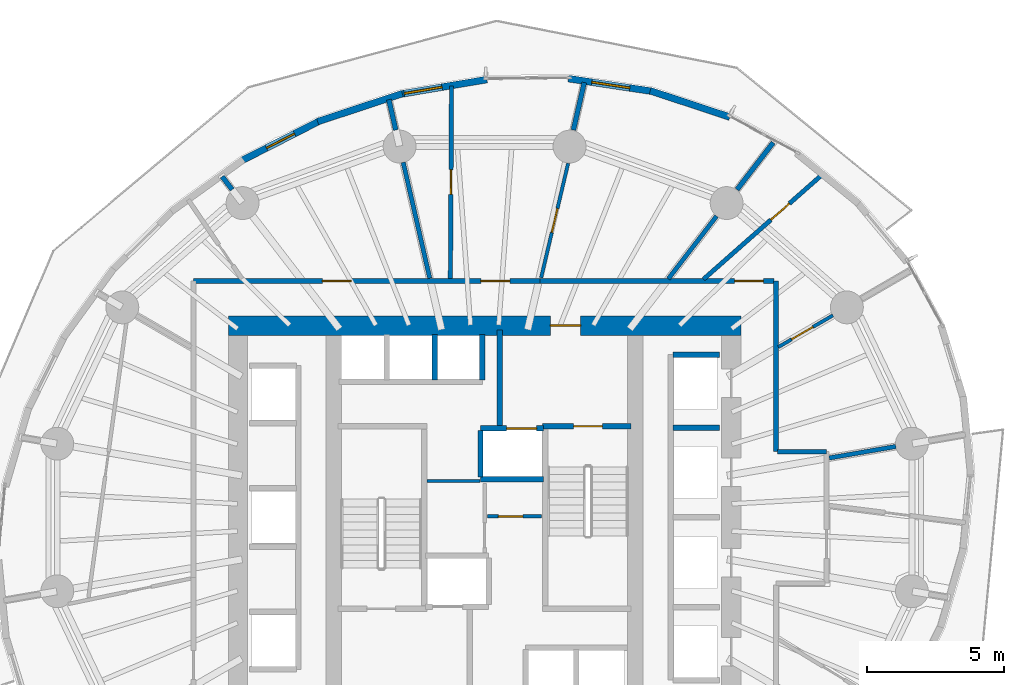
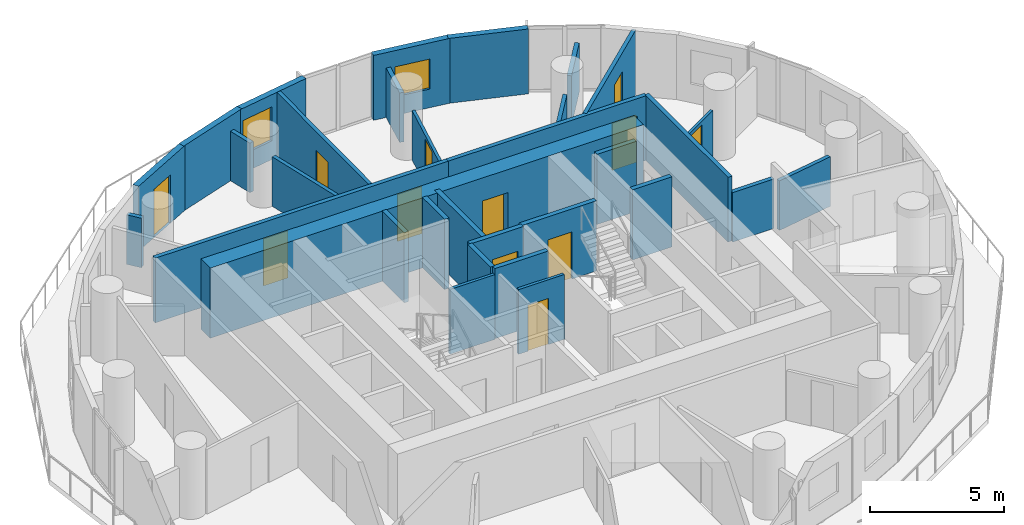
# One storey, part 9 of 14: 32 walls, 12 doors, 2 windows, 14 openings.
"""IFC4 building model written with IfcOpenShell, lengths in metres."""

from ifc_helpers import new_model, si_unit, direction, frame, frame_2d, origin, place, context, subcontext, project, spatial, rectangle, extrude, material, layer, layer_set, type_object, element, fill, save


model = new_model("IFC4")

# Units and contexts
model_context = context("Model", 3, precision=1e-05, world=origin(), true_north=direction((0.0, 1.0)))
body_context = subcontext(model_context, "Body", "Model", "MODEL_VIEW")
ifc_project = project(units=[si_unit("LENGTHUNIT", "METRE"), si_unit("AREAUNIT", "SQUARE_METRE"), si_unit("VOLUMEUNIT", "CUBIC_METRE"), si_unit("PLANEANGLEUNIT", "RADIAN"), si_unit("MASSUNIT", "GRAM", prefix="KILO")], contexts=[model_context])

# Site, building, storey
site_placement = place(None, origin())
site = spatial("IfcSite", under=ifc_project, at=site_placement, CompositionType="ELEMENT")
building_placement = place(site_placement, origin())
building = spatial("IfcBuilding", under=site, at=building_placement, Name="Veldorim Arch Residences", CompositionType="ELEMENT")
storey_placement = place(building_placement, frame((0.0, 0.0, 93.280029296875)))
storey = spatial("IfcBuildingStorey", under=building, at=storey_placement, Name="L27", CompositionType="ELEMENT", Elevation=93.280029296875)

# Wall, opening, door
ifc_material_1 = material(Name="Acoustic Gypsum Board", Category="gypsum")
ifc_layer_1 = layer(ifc_material_1, 0.125, Name="Acoustic Stud Room Partition Wall 125")
ifc_layer_set_1 = layer_set([ifc_layer_1], Name="Acoustic Gypsum Board")
wall_type_1 = type_object("IfcWallType", Name="Acoustic Stud Room Partition Wall 125", PredefinedType="PARTITIONING", material=ifc_layer_set_1)
wall_1_placement = place(storey_placement, frame((32.110107421875, 24.0400390625, 0.0), z_axis=(0.0, 0.0, 1.0), x_axis=(1.0, 0.0, 0.0)))
wall_1 = element("IfcWall", 1, at=wall_1_placement, inside=storey, type_object=wall_type_1, Name="L27 interior wall WL-CA-L27-3", PredefinedType="PARTITIONING", context=body_context, shape_type="SweptSolid", body=[
    extrude(rectangle(XDim=1.969970703125, YDim=0.125, at=frame_2d((0.98486328125, 0.0))), origin(), (0.0, 0.0, 1.0), 2.955078125),
])
opening_1_placement = place(wall_1_placement, frame((0.389892578125, 0.0, 0.0)))
opening_1 = element("IfcOpeningElement", 2, at=opening_1_placement, cuts=wall_1, Name="Opening DR-INT", PredefinedType="OPENING", context=body_context, shape_type="SweptSolid", body=[
    extrude(rectangle(XDim=0.89990234375, YDim=2.10009765625, at=frame_2d((0.449951171875, 1.050048828125))), frame((0.0, 0.072509765625, 0.0), z_axis=(0.0, -1.0, 0.0), x_axis=(1.0, 0.0, 0.0)), (0.0, 0.0, 1.0), 0.14501953125),
])
ifc_material_2 = material(Name="Engineered Timber", Category="wood")
door_type_1 = type_object("IfcDoorType", Name="Apartment Internal Room Timber Door 900x2100", OperationType="SINGLE_SWING_LEFT", PredefinedType="DOOR", material=ifc_material_2)
door_1_placement = place(opening_1_placement, origin())
door_1 = element("IfcDoor", 3, at=door_1_placement, inside=storey, type_object=door_type_1, Name="L27 interior door DR-L27-CA1", OperationType="SINGLE_SWING_LEFT", OverallHeight=2.10009765625, OverallWidth=0.89990234375, PredefinedType="DOOR", context=body_context, shape_type="SweptSolid", body=[
    extrude(rectangle(XDim=0.89990234375, YDim=2.10009765625, at=frame_2d((0.449951171875, 1.050048828125))), frame((0.0, 0.02490234375, 0.0), z_axis=(0.0, -1.0, 0.0), x_axis=(1.0, 0.0, 0.0)), (0.0, 0.0, 1.0), 0.050048828125),
])
fill(opening_1, door_1)

# Wall
wall_2_placement = place(storey_placement, frame((29.889892578125, 25.330078125, 0.0), z_axis=(0.0, 0.0, 1.0), x_axis=(1.0, 0.0, 0.0)))
element("IfcWall", 4, at=wall_2_placement, inside=storey, type_object=wall_type_1, Name="L27 interior wall WL-CA-L27-N", PredefinedType="PARTITIONING", context=body_context, shape_type="SweptSolid", body=[
    extrude(rectangle(XDim=1.940185546875, YDim=0.125, at=frame_2d((0.97021484375, 0.0))), origin(), (0.0, 0.0, 1.0), 2.955078125),
])

# Wall, opening, door
wall_3_placement = place(storey_placement, frame((44.711181640625, 31.37548828125, 0.0), z_axis=(0.0, 0.0, 1.0), x_axis=(-0.864966854608, -0.501828995207, 0.0)))
wall_3 = element("IfcWall", 5, at=wall_3_placement, inside=storey, type_object=wall_type_1, Name="L27 interior wall WL-RES-L27-022", PredefinedType="PARTITIONING", context=body_context, shape_type="SweptSolid", body=[
    extrude(rectangle(XDim=2.305908203125, YDim=0.125, at=frame_2d((1.15283203125, 0.0))), origin(), (0.0, 0.0, 1.0), 2.26025390625),
])
opening_2_placement = place(wall_3_placement, frame((0.843017578125, 0.0, 0.0)))
opening_2 = element("IfcOpeningElement", 6, at=opening_2_placement, cuts=wall_3, Name="Opening DR-INT", PredefinedType="OPENING", context=body_context, shape_type="SweptSolid", body=[
    extrude(rectangle(XDim=0.89990234375, YDim=2.10009765625, at=frame_2d((0.449951171875, 1.050048828125))), frame((0.0, 0.072509765625, 0.0), z_axis=(0.0, -1.0, 0.0), x_axis=(1.0, 0.0, 0.0)), (0.0, 0.0, 1.0), 0.14501953125),
])
door_2_placement = place(opening_2_placement, origin())
door_2 = element("IfcDoor", 7, at=door_2_placement, inside=storey, type_object=door_type_1, Name="L27 interior door DR-RES-L27-010", OperationType="SINGLE_SWING_RIGHT", OverallHeight=2.10009765625, OverallWidth=0.89990234375, PredefinedType="DOOR", context=body_context, shape_type="SweptSolid", body=[
    extrude(rectangle(XDim=0.89990234375, YDim=2.10009765625, at=frame_2d((0.449951171875, 1.050048828125))), frame((0.0, 0.02490234375, 0.0), z_axis=(0.0, -1.0, 0.0), x_axis=(1.0, 0.0, 0.0)), (0.0, 0.0, 1.0), 0.050048828125),
])
fill(opening_2, door_2)

wall_4_placement = place(storey_placement, frame((35.048828125, 36.9267578125, 0.0), z_axis=(0.0, 0.0, 1.0), x_axis=(-0.229552612231, -0.973296254086, 0.0)))
wall_4 = element("IfcWall", 8, at=wall_4_placement, inside=storey, type_object=wall_type_1, Name="L27 interior wall WL-RES-L27-025", PredefinedType="PARTITIONING", context=body_context, shape_type="SweptSolid", body=[
    extrude(rectangle(XDim=4.294677734375, YDim=0.125, at=frame_2d((2.1474609375, 0.0))), origin(), (0.0, 0.0, 1.0), 2.26025390625),
])
opening_3_placement = place(wall_4_placement, frame((1.697509765625, 0.0, 0.0)))
opening_3 = element("IfcOpeningElement", 9, at=opening_3_placement, cuts=wall_4, Name="Opening DR-INT", PredefinedType="OPENING", context=body_context, shape_type="SweptSolid", body=[
    extrude(rectangle(XDim=0.89990234375, YDim=2.10009765625, at=frame_2d((0.449951171875, 1.050048828125))), frame((0.0, 0.072509765625, 0.0), z_axis=(0.0, -1.0, 0.0), x_axis=(1.0, 0.0, 0.0)), (0.0, 0.0, 1.0), 0.14501953125),
])
door_3_placement = place(opening_3_placement, origin())
door_3 = element("IfcDoor", 10, at=door_3_placement, inside=storey, type_object=door_type_1, Name="L27 interior door DR-RES-L27-013", OperationType="SINGLE_SWING_LEFT", OverallHeight=2.10009765625, OverallWidth=0.89990234375, PredefinedType="DOOR", context=body_context, shape_type="SweptSolid", body=[
    extrude(rectangle(XDim=0.89990234375, YDim=2.10009765625, at=frame_2d((0.449951171875, 1.050048828125))), frame((0.0, 0.02490234375, 0.0), z_axis=(0.0, -1.0, 0.0), x_axis=(1.0, 0.0, 0.0)), (0.0, 0.0, 1.0), 0.050048828125),
])
fill(opening_3, door_3)

# Walls
ifc_material_3 = material(Name="Lightweight Masonry Block & Gypsum", Category="masonry")
ifc_layer_2 = layer(ifc_material_3, 0.179931640625, Name="Compartment & Corridor Fire-Rated Party Wall 180")
ifc_layer_set_2 = layer_set([ifc_layer_2], Name="Lightweight Masonry Block & Gypsum")
wall_type_2 = type_object("IfcWallType", Name="Compartment & Corridor Fire-Rated Party Wall 180", PredefinedType="PARTITIONING", material=ifc_layer_set_2)
wall_5_placement = place(storey_placement, frame((41.2119140625, 35.965576171875, 0.0), z_axis=(0.0, 0.0, 1.0), x_axis=(0.610026423006, 0.792381071981, 0.0)))
element("IfcWall", 11, at=wall_5_placement, inside=storey, type_object=wall_type_2, Name="L27 interior wall WL-PIER-L27-03", PredefinedType="PARTITIONING", context=body_context, shape_type="SweptSolid", body=[
    extrude(rectangle(XDim=2.16748046875, YDim=0.179931640625, at=frame_2d((1.083740234375, 0.0))), origin(), (0.0, 0.0, 1.0), 2.26025390625),
])
wall_6_placement = place(storey_placement, frame((35.240478515625, 38.13916015625, 0.0), z_axis=(0.0, 0.0, 1.0), x_axis=(0.223406034992, 0.974725470853, 0.0)))
element("IfcWall", 12, at=wall_6_placement, inside=storey, type_object=wall_type_2, Name="L27 interior wall WL-PIER-L27-04", PredefinedType="PARTITIONING", context=body_context, shape_type="SweptSolid", body=[
    extrude(rectangle(XDim=1.779052734375, YDim=0.179931640625, at=frame_2d((0.8896484375, 0.0))), origin(), (0.0, 0.0, 1.0), 2.26025390625),
])
wall_7_placement = place(storey_placement, frame((28.759521484375, 38.13916015625, 0.0), z_axis=(0.0, 0.0, 1.0), x_axis=(-0.223325248633, 0.974743983476, 0.0)))
element("IfcWall", 13, at=wall_7_placement, inside=storey, type_object=wall_type_2, Name="L27 interior wall WL-PIER-L27-05", PredefinedType="PARTITIONING", context=body_context, shape_type="SweptSolid", body=[
    extrude(rectangle(XDim=1.13916015625, YDim=0.179931640625, at=frame_2d((0.569580078125, 0.0))), origin(), (0.0, 0.0, 1.0), 2.26025390625),
])
wall_8_placement = place(storey_placement, frame((22.7880859375, 35.965576171875, 0.0), z_axis=(0.0, 0.0, 1.0), x_axis=(-0.609809319142, 0.792548165279, 0.0)))
element("IfcWall", 14, at=wall_8_placement, inside=storey, type_object=wall_type_2, Name="L27 interior wall WL-PIER-L27-06", PredefinedType="PARTITIONING", context=body_context, shape_type="SweptSolid", body=[
    extrude(rectangle(XDim=0.5986328125, YDim=0.179931640625, at=frame_2d((0.29931640625, 0.0))), origin(), (0.0, 0.0, 1.0), 2.26025390625),
])
wall_9_placement = place(storey_placement, frame((42.6298828125, 32.6298828125, 0.0), z_axis=(0.0, 0.0, 1.0), x_axis=(0.0, -1.0, 0.0)))
element("IfcWall", 15, at=wall_9_placement, inside=storey, type_object=wall_type_2, Name="L27 interior wall WL-RES-L27-006", PredefinedType="PARTITIONING", context=body_context, shape_type="SweptSolid", body=[
    extrude(rectangle(XDim=6.22998046875, YDim=0.179931640625, at=frame_2d((3.114990234375, 0.0))), origin(), (0.0, 0.0, 1.0), 2.955078125),
])

# Wall, opening, door
wall_10_placement = place(storey_placement, frame((34.015380859375, 32.6298828125, 0.0), z_axis=(0.0, 0.0, 1.0), x_axis=(1.0, 0.0, 0.0)))
wall_10 = element("IfcWall", 16, at=wall_10_placement, inside=storey, type_object=wall_type_2, Name="L27 interior wall WL-RES-L27-007", PredefinedType="PARTITIONING", context=body_context, shape_type="SweptSolid", body=[
    extrude(rectangle(XDim=8.5546875, YDim=0.179931640625, at=frame_2d((4.27734375, 0.0))), origin(), (0.0, 0.0, 1.0), 2.955078125),
])
opening_4_placement = place(wall_10_placement, frame((7.1123046875, 0.0, 0.0)))
opening_4 = element("IfcOpeningElement", 17, at=opening_4_placement, cuts=wall_10, Name="Opening DR-FLT", PredefinedType="OPENING", context=body_context, shape_type="SweptSolid", body=[
    extrude(rectangle(XDim=1.050048828125, YDim=2.14990234375, at=frame_2d((0.52490234375, 1.074951171875))), frame((0.0, 0.099853515625, 0.0), z_axis=(0.0, -1.0, 0.0), x_axis=(1.0, 0.0, 0.0)), (0.0, 0.0, 1.0), 0.199951171875),
])
ifc_material_4 = material(Name="Fire-Rated Timber", Category="wood")
door_type_2 = type_object("IfcDoorType", Name="Apartment Entrance Solid-Core Fire Door 1050x2150", OperationType="SINGLE_SWING_LEFT", PredefinedType="DOOR", material=ifc_material_4)
door_4_placement = place(opening_4_placement, origin())
door_4 = element("IfcDoor", 18, at=door_4_placement, inside=storey, type_object=door_type_2, Name="L27 interior door DR-RES-L27-008", OperationType="SINGLE_SWING_RIGHT", OverallHeight=2.14990234375, OverallWidth=1.050048828125, PredefinedType="DOOR", context=body_context, shape_type="SweptSolid", body=[
    extrude(rectangle(XDim=1.050048828125, YDim=2.14990234375, at=frame_2d((0.52490234375, 1.074951171875))), frame((0.0, 0.02490234375, 0.0), z_axis=(0.0, -1.0, 0.0), x_axis=(1.0, 0.0, 0.0)), (0.0, 0.0, 1.0), 0.050048828125),
])
fill(opening_4, door_4)

# Wall
wall_11_placement = place(storey_placement, frame((42.68994140625, 26.39990234375, 0.0), z_axis=(0.0, 0.0, 1.0), x_axis=(1.0, 0.0, 0.0)))
element("IfcWall", 19, at=wall_11_placement, inside=storey, type_object=wall_type_2, Name="L27 interior wall WL-RES-L27-008", PredefinedType="PARTITIONING", context=body_context, shape_type="SweptSolid", body=[
    extrude(rectangle(XDim=1.7900390625, YDim=0.179931640625, at=frame_2d((0.89501953125, 0.0))), origin(), (0.0, 0.0, 1.0), 2.26025390625),
])

# Wall, openings, doors
wall_12_placement = place(storey_placement, frame((21.3701171875, 32.6298828125, 0.0), z_axis=(0.0, 0.0, 1.0), x_axis=(1.0, 0.0, 0.0)))
wall_12 = element("IfcWall", 20, at=wall_12_placement, inside=storey, type_object=wall_type_2, Name="L27 interior wall WL-RES-L27-009", PredefinedType="PARTITIONING", context=body_context, shape_type="SweptSolid", body=[
    extrude(rectangle(XDim=12.685791015625, YDim=0.179931640625, at=frame_2d((6.3427734375, 0.0))), origin(), (0.0, 0.0, 1.0), 2.955078125),
])
opening_5_placement = place(wall_12_placement, frame((10.49853515625, 0.0, 0.0)))
opening_5 = element("IfcOpeningElement", 21, at=opening_5_placement, cuts=wall_12, Name="Opening DR-FLT", PredefinedType="OPENING", context=body_context, shape_type="SweptSolid", body=[
    extrude(rectangle(XDim=1.050048828125, YDim=2.14990234375, at=frame_2d((0.52490234375, 1.074951171875))), frame((0.0, 0.099853515625, 0.0), z_axis=(0.0, -1.0, 0.0), x_axis=(1.0, 0.0, 0.0)), (0.0, 0.0, 1.0), 0.199951171875),
])
opening_6_placement = place(wall_12_placement, frame((4.712890625, 0.0, 0.0)))
opening_6 = element("IfcOpeningElement", 22, at=opening_6_placement, cuts=wall_12, Name="Opening DR-FLT", PredefinedType="OPENING", context=body_context, shape_type="SweptSolid", body=[
    extrude(rectangle(XDim=1.050048828125, YDim=2.14990234375, at=frame_2d((0.52490234375, 1.074951171875))), frame((0.0, 0.099853515625, 0.0), z_axis=(0.0, -1.0, 0.0), x_axis=(1.0, 0.0, 0.0)), (0.0, 0.0, 1.0), 0.199951171875),
])
door_5_placement = place(opening_5_placement, origin())
door_5 = element("IfcDoor", 23, at=door_5_placement, inside=storey, type_object=door_type_2, Name="L27 interior door DR-RES-L27-011", OperationType="SINGLE_SWING_LEFT", OverallHeight=2.14990234375, OverallWidth=1.050048828125, PredefinedType="DOOR", context=body_context, shape_type="SweptSolid", body=[
    extrude(rectangle(XDim=1.050048828125, YDim=2.14990234375, at=frame_2d((0.52490234375, 1.074951171875))), frame((0.0, 0.02490234375, 0.0), z_axis=(0.0, -1.0, 0.0), x_axis=(1.0, 0.0, 0.0)), (0.0, 0.0, 1.0), 0.050048828125),
])
fill(opening_5, door_5)
door_6_placement = place(opening_6_placement, origin())
door_6 = element("IfcDoor", 24, at=door_6_placement, inside=storey, type_object=door_type_2, Name="L27 interior door DR-RES-L27-014", OperationType="SINGLE_SWING_RIGHT", OverallHeight=2.14990234375, OverallWidth=1.050048828125, PredefinedType="DOOR", context=body_context, shape_type="SweptSolid", body=[
    extrude(rectangle(XDim=1.050048828125, YDim=2.14990234375, at=frame_2d((0.52490234375, 1.074951171875))), frame((0.0, 0.02490234375, 0.0), z_axis=(0.0, -1.0, 0.0), x_axis=(1.0, 0.0, 0.0)), (0.0, 0.0, 1.0), 0.050048828125),
])
fill(opening_6, door_6)

# Wall, opening, door
ifc_material_5 = material(Name="Concrete C50/60", Category="concrete")
ifc_layer_3 = layer(ifc_material_5, 0.199951171875, Name="Core Stair & Lift Shaft Enclosure Wall 200")
ifc_layer_set_3 = layer_set([ifc_layer_3], Name="Concrete C50/60")
wall_type_3 = type_object("IfcWallType", Name="Core Stair & Lift Shaft Enclosure Wall 200", PredefinedType="SHEAR", material=ifc_layer_set_3)
wall_13_placement = place(storey_placement, frame((34.110107421875, 27.330078125, 0.0), z_axis=(0.0, 0.0, 1.0), x_axis=(1.0, 0.0, 0.0)))
wall_13 = element("IfcWall", 25, at=wall_13_placement, inside=storey, type_object=wall_type_3, Name="L27 shaft wall WL-SHF-L27-ST2-N", PredefinedType="SHEAR", context=body_context, shape_type="SweptSolid", body=[
    extrude(rectangle(XDim=3.239990234375, YDim=0.199951171875, at=frame_2d((1.6201171875, 0.0))), origin(), (0.0, 0.0, 1.0), 3.199951171875),
])
opening_7_placement = place(wall_13_placement, frame((1.135009765625, 0.0, 0.0)))
opening_7 = element("IfcOpeningElement", 26, at=opening_7_placement, cuts=wall_13, Name="Opening DR-ST", PredefinedType="OPENING", context=body_context, shape_type="SweptSolid", body=[
    extrude(rectangle(XDim=1.050048828125, YDim=2.14990234375, at=frame_2d((0.52490234375, 1.074951171875))), frame((0.0, 0.10986328125, 0.0), z_axis=(0.0, -1.0, 0.0), x_axis=(1.0, 0.0, 0.0)), (0.0, 0.0, 1.0), 0.219970703125),
])
ifc_material_6 = material(Name="Fire-Rated Steel", Category="steel")
door_type_3 = type_object("IfcDoorType", Name="Exit Staircase Self-Closing Fire Door 1050x2150", OperationType="SINGLE_SWING_LEFT", PredefinedType="DOOR", material=ifc_material_6)
door_7_placement = place(opening_7_placement, origin())
door_7 = element("IfcDoor", 27, at=door_7_placement, inside=storey, type_object=door_type_3, Name="L27 interior door DR-L27-ST2", OperationType="SINGLE_SWING_RIGHT", OverallHeight=2.14990234375, OverallWidth=1.050048828125, PredefinedType="DOOR", context=body_context, shape_type="SweptSolid", body=[
    extrude(rectangle(XDim=1.050048828125, YDim=2.14990234375, at=frame_2d((0.52490234375, 1.074951171875))), frame((0.0, 0.02490234375, 0.0), z_axis=(0.0, -1.0, 0.0), x_axis=(1.0, 0.0, 0.0)), (0.0, 0.0, 1.0), 0.050048828125),
])
fill(opening_7, door_7)

# Wall
wall_14_placement = place(storey_placement, frame((32.550048828125, 27.35009765625, 0.0), z_axis=(0.0, 0.0, 1.0), x_axis=(0.0, 1.0, 0.0)))
element("IfcWall", 28, at=wall_14_placement, inside=storey, type_object=wall_type_3, Name="L27 shaft wall WL-FFL2-L27-W", PredefinedType="SHEAR", context=body_context, shape_type="SweptSolid", body=[
    extrude(rectangle(XDim=3.5, YDim=0.199951171875, at=frame_2d((1.75, 0.0))), origin(), (0.0, 0.0, 1.0), 3.199951171875),
])

# Wall, opening, door
wall_15_placement = place(storey_placement, frame((31.85009765625, 27.25, 0.0), z_axis=(0.0, 0.0, 1.0), x_axis=(1.0, 0.0, 0.0)))
wall_15 = element("IfcWall", 29, at=wall_15_placement, inside=storey, type_object=wall_type_3, Name="L27 shaft wall WL-FL02-L27-N", PredefinedType="SHEAR", context=body_context, shape_type="SweptSolid", body=[
    extrude(rectangle(XDim=2.2998046875, YDim=0.199951171875, at=frame_2d((1.14990234375, 0.0))), origin(), (0.0, 0.0, 1.0), 3.199951171875),
])
opening_8_placement = place(wall_15_placement, frame((0.949951171875, 0.0, 0.0)))
opening_8 = element("IfcOpeningElement", 30, at=opening_8_placement, cuts=wall_15, Name="Opening LD-FF", PredefinedType="OPENING", context=body_context, shape_type="SweptSolid", body=[
    extrude(rectangle(XDim=1.10009765625, YDim=2.14990234375, at=frame_2d((0.550048828125, 1.074951171875))), frame((0.0, 0.10986328125, 0.0), z_axis=(0.0, -1.0, 0.0), x_axis=(1.0, 0.0, 0.0)), (0.0, 0.0, 1.0), 0.219970703125),
])
ifc_material_7 = material(Name="Stainless Steel", Category="steel")
door_type_4 = type_object("IfcDoorType", Name="Firefighting Lift Bi-Parting Sliding Landing Door 1100x2150", OperationType="DOUBLE_DOOR_SLIDING", PredefinedType="DOOR", material=ifc_material_7)
door_8_placement = place(opening_8_placement, origin())
door_8 = element("IfcDoor", 31, at=door_8_placement, inside=storey, type_object=door_type_4, Name="L27 lift landing door LD-L27-FL02", OperationType="DOUBLE_DOOR_SLIDING", OverallHeight=2.14990234375, OverallWidth=1.10009765625, PredefinedType="DOOR", context=body_context, shape_type="SweptSolid", body=[
    extrude(rectangle(XDim=1.10009765625, YDim=2.14990234375, at=frame_2d((0.550048828125, 1.074951171875))), frame((0.0, 0.02490234375, 0.0), z_axis=(0.0, -1.0, 0.0), x_axis=(1.0, 0.0, 0.0)), (0.0, 0.0, 1.0), 0.050048828125),
])
fill(opening_8, door_8)

# Walls
wall_16_placement = place(storey_placement, frame((31.85009765625, 25.39990234375, 0.0), z_axis=(0.0, 0.0, 1.0), x_axis=(1.0, 0.0, 0.0)))
element("IfcWall", 32, at=wall_16_placement, inside=storey, type_object=wall_type_3, Name="L27 shaft wall WL-FL02-L27-S", PredefinedType="SHEAR", context=body_context, shape_type="SweptSolid", body=[
    extrude(rectangle(XDim=2.2998046875, YDim=0.199951171875, at=frame_2d((1.14990234375, 0.0))), origin(), (0.0, 0.0, 1.0), 3.199951171875),
])
for number, where, z_axis, x_axis, name in (
    (33, (31.85009765625, 25.469970703125, 0.0), (0.0, 0.0, 1.0), (0.0, 1.0, 0.0), "L27 shaft wall WL-FL02-L27-W"),
    (34, (38.8701171875, 29.93994140625, 0.0), (0.0, 0.0, 1.0), (1.0, 0.0, 0.0), "L27 shaft wall WL-B1-L27-N"),
    (35, (38.8701171875, 27.27490234375, 0.0), (0.0, 0.0, 1.0), (1.0, 0.0, 0.0), "L27 shaft wall WL-B1-L27-D3"),
):
    element("IfcWall", number, at=place(storey_placement, frame(where, z_axis=z_axis, x_axis=x_axis)), inside=storey, type_object=wall_type_3, Name=name, PredefinedType="SHEAR", context=body_context, shape_type="SweptSolid", body=[
        extrude(rectangle(XDim=1.7099609375, YDim=0.199951171875, at=frame_2d((0.85498046875, 0.0))), origin(), (0.0, 0.0, 1.0), 3.199951171875),
    ])
for number, where, z_axis, x_axis, name in (
    (36, (31.919921875, 29.02001953125, 0.0), (0.0, 0.0, 1.0), (0.0, 1.0, 0.0), "L27 shaft wall WL-B3-L27-E"),
    (37, (30.175048828125, 29.02001953125, 0.0), (0.0, 0.0, 1.0), (0.0, 1.0, 0.0), "L27 shaft wall WL-B3-L27-D2"),
):
    element("IfcWall", number, at=place(storey_placement, frame(where, z_axis=z_axis, x_axis=x_axis)), inside=storey, type_object=wall_type_3, Name=name, PredefinedType="SHEAR", context=body_context, shape_type="SweptSolid", body=[
        extrude(rectangle(XDim=1.659912109375, YDim=0.199951171875, at=frame_2d((0.830078125, 0.0))), origin(), (0.0, 0.0, 1.0), 3.199951171875),
    ])

# Wall, opening, door
ifc_material_8 = material(Name="Concrete C60/75", Category="concrete")
ifc_layer_4 = layer(ifc_material_8, 0.699951171875, Name="Mid-Lower Central Core Shear Wall 700")
ifc_layer_set_4 = layer_set([ifc_layer_4], Name="Concrete C60/75")
wall_type_4 = type_object("IfcWallType", Name="Mid-Lower Central Core Shear Wall 700", PredefinedType="SHEAR", material=ifc_layer_set_4)
wall_17_placement = place(storey_placement, frame((22.64990234375, 31.0, 0.0), z_axis=(0.0, 0.0, 1.0), x_axis=(1.0, 0.0, 0.0)))
wall_17 = element("IfcWall", 38, at=wall_17_placement, inside=storey, type_object=wall_type_4, Name="L27 central core north shear wall", PredefinedType="SHEAR", context=body_context, shape_type="SweptSolid", body=[
    extrude(rectangle(XDim=18.7001953125, YDim=0.699951171875, at=frame_2d((9.35009765625, 0.0))), origin(), (0.0, 0.0, 1.0), 3.199951171875),
])
opening_9_placement = place(wall_17_placement, frame((11.75, 0.0, 0.0)))
opening_9 = element("IfcOpeningElement", 39, at=opening_9_placement, cuts=wall_17, Name="Opening DR-FFL", PredefinedType="OPENING", context=body_context, shape_type="SweptSolid", body=[
    extrude(rectangle(XDim=1.10009765625, YDim=2.14990234375, at=frame_2d((0.550048828125, 1.074951171875))), frame((0.0, 0.35986328125, 0.0), z_axis=(0.0, -1.0, 0.0), x_axis=(1.0, 0.0, 0.0)), (0.0, 0.0, 1.0), 0.719970703125),
])
ifc_material_9 = material(Name="Fire-Rated Steel & Vision Glass", Category="steel")
door_type_5 = type_object("IfcDoorType", Name="Firefighting Lobby Smoke-Stop Fire Door 1100x2150", OperationType="SINGLE_SWING_LEFT", PredefinedType="DOOR", material=ifc_material_9)
door_9_placement = place(opening_9_placement, origin())
door_9 = element("IfcDoor", 40, at=door_9_placement, inside=storey, type_object=door_type_5, Name="L27 interior door DR-L27-FFL2", OperationType="SINGLE_SWING_LEFT", OverallHeight=2.14990234375, OverallWidth=1.10009765625, PredefinedType="DOOR", context=body_context, shape_type="SweptSolid", body=[
    extrude(rectangle(XDim=1.10009765625, YDim=2.14990234375, at=frame_2d((0.550048828125, 1.074951171875))), frame((0.0, 0.02490234375, 0.0), z_axis=(0.0, -1.0, 0.0), x_axis=(1.0, 0.0, 0.0)), (0.0, 0.0, 1.0), 0.050048828125),
])
fill(opening_9, door_9)

# Wall
ifc_material_10 = material(Name="Precast concrete C40/50", Category="concrete")
ifc_layer_5 = layer(ifc_material_10, 0.25, Name="Tower Terracotta Spandrel & Pier Wall 250")
ifc_layer_set_5 = layer_set([ifc_layer_5], Name="Precast concrete C40/50")
wall_type_5 = type_object("IfcWallType", Name="Tower Terracotta Spandrel & Pier Wall 250", PredefinedType="SOLIDWALL", material=ifc_layer_set_5)
wall_18_placement = place(storey_placement, frame((38.04541015625, 39.57373046875, 0.0), z_axis=(0.0, 0.0, 1.0), x_axis=(0.949533409058, -0.313665913166, 0.0)))
element("IfcWall", 41, at=wall_18_placement, inside=storey, type_object=wall_type_5, Name="L27 terracotta facade wall 05", PredefinedType="SOLIDWALL", context=body_context, shape_type="SweptSolid", body=[
    extrude(rectangle(XDim=3.060546875, YDim=0.25, at=frame_2d((1.5302734375, 0.0))), origin(), (0.0, 0.0, 1.0), 2.9599609375),
])

# Wall, opening, window
wall_19_placement = place(storey_placement, frame((35.05712890625, 40.01708984375, 0.0), z_axis=(0.0, 0.0, 1.0), x_axis=(0.988719703222, -0.149777663425, 0.0)))
wall_19 = element("IfcWall", 42, at=wall_19_placement, inside=storey, type_object=wall_type_5, Name="L27 terracotta facade wall 06", PredefinedType="SOLIDWALL", context=body_context, shape_type="SweptSolid", body=[
    extrude(rectangle(XDim=3.13134765625, YDim=0.25, at=frame_2d((1.565673828125, 0.0))), origin(), (0.0, 0.0, 1.0), 2.9599609375),
])
opening_10_placement = place(wall_19_placement, frame((0.865966796875, 0.0, 0.85009765625)))
opening_10 = element("IfcOpeningElement", 43, at=opening_10_placement, cuts=wall_19, Name="Opening WN-02", PredefinedType="OPENING", context=body_context, shape_type="SweptSolid", body=[
    extrude(rectangle(XDim=1.39990234375, YDim=1.3701171875, at=frame_2d((0.699951171875, 0.68505859375))), frame((0.0, 0.135009765625, 0.0), z_axis=(0.0, -1.0, 0.0), x_axis=(1.0, 0.0, 0.0)), (0.0, 0.0, 1.0), 0.27001953125),
])
ifc_material_11 = material(Name="Laminated Low-E Glass", Category="glass")
window_type = type_object("IfcWindowType", Name="Residential Casement Window 1400x1550", PartitioningType="SINGLE_PANEL", PredefinedType="WINDOW", material=ifc_material_11)
window_1_placement = place(opening_10_placement, origin())
window_1 = element("IfcWindow", 44, at=window_1_placement, inside=storey, type_object=window_type, Name="L27 solar-control facade window 06", OverallHeight=1.3701171875, OverallWidth=1.39990234375, PartitioningType="SINGLE_PANEL", PredefinedType="WINDOW", context=body_context, shape_type="SweptSolid", body=[
    extrude(rectangle(XDim=1.39990234375, YDim=1.3701171875, at=frame_2d((0.699951171875, 0.68505859375))), frame((0.0, 0.030029296875, 0.0), z_axis=(0.0, -1.0, 0.0), x_axis=(1.0, 0.0, 0.0)), (0.0, 0.0, 1.0), 0.06005859375),
])
fill(opening_10, window_1)

wall_20_placement = place(storey_placement, frame((28.892578125, 39.444580078125, 0.0), z_axis=(0.0, 0.0, 1.0), x_axis=(0.986043062305, 0.166490478044, 0.0)))
wall_20 = element("IfcWall", 45, at=wall_20_placement, inside=storey, type_object=wall_type_5, Name="L27 terracotta facade wall 08", PredefinedType="SOLIDWALL", context=body_context, shape_type="SweptSolid", body=[
    extrude(rectangle(XDim=3.236328125, YDim=0.25, at=frame_2d((1.6181640625, 0.0))), origin(), (0.0, 0.0, 1.0), 2.9599609375),
])
opening_11_placement = place(wall_20_placement, frame((0.175048828125, 0.0, 0.85009765625)))
opening_11 = element("IfcOpeningElement", 46, at=opening_11_placement, cuts=wall_20, Name="Opening WN-02", PredefinedType="OPENING", context=body_context, shape_type="SweptSolid", body=[
    extrude(rectangle(XDim=1.39990234375, YDim=1.550048828125, at=frame_2d((0.699951171875, 0.77490234375))), frame((0.0, 0.135009765625, 0.0), z_axis=(0.0, -1.0, 0.0), x_axis=(1.0, 0.0, 0.0)), (0.0, 0.0, 1.0), 0.27001953125),
])
window_2_placement = place(opening_11_placement, origin())
window_2 = element("IfcWindow", 47, at=window_2_placement, inside=storey, type_object=window_type, Name="L27 solar-control facade window 08", OverallHeight=1.550048828125, OverallWidth=1.39990234375, PartitioningType="SINGLE_PANEL", PredefinedType="WINDOW", context=body_context, shape_type="SweptSolid", body=[
    extrude(rectangle(XDim=1.39990234375, YDim=1.550048828125, at=frame_2d((0.699951171875, 0.77490234375))), frame((0.0, 0.030029296875, 0.0), z_axis=(0.0, -1.0, 0.0), x_axis=(1.0, 0.0, 0.0)), (0.0, 0.0, 1.0), 0.06005859375),
])
fill(opening_11, window_2)

# Wall
wall_21_placement = place(storey_placement, frame((25.904296875, 38.4453125, 0.0), z_axis=(0.0, 0.0, 1.0), x_axis=(0.949206293356, 0.314654433709, 0.0)))
element("IfcWall", 48, at=wall_21_placement, inside=storey, type_object=wall_type_5, Name="L27 terracotta facade wall 09", PredefinedType="SOLIDWALL", context=body_context, shape_type="SweptSolid", body=[
    extrude(rectangle(XDim=3.259521484375, YDim=0.25, at=frame_2d((1.6298828125, 0.0))), origin(), (0.0, 0.0, 1.0), 2.9599609375),
])

# Wall, opening, door
wall_22_placement = place(storey_placement, frame((23.10107421875, 37.00634765625, 0.0), z_axis=(0.0, 0.0, 1.0), x_axis=(0.89081817606, 0.454359964347, 0.0)))
wall_22 = element("IfcWall", 49, at=wall_22_placement, inside=storey, type_object=wall_type_5, Name="L27 terracotta facade wall 10", PredefinedType="SOLIDWALL", context=body_context, shape_type="SweptSolid", body=[
    extrude(rectangle(XDim=3.259521484375, YDim=0.25, at=frame_2d((1.6298828125, 0.0))), origin(), (0.0, 0.0, 1.0), 2.9599609375),
])
opening_12_placement = place(wall_22_placement, frame((1.054931640625, 0.0, 0.0)))
opening_12 = element("IfcOpeningElement", 50, at=opening_12_placement, cuts=wall_22, Name="Opening BL-DR", PredefinedType="OPENING", context=body_context, shape_type="SweptSolid", body=[
    extrude(rectangle(XDim=1.14990234375, YDim=2.199951171875, at=frame_2d((0.574951171875, 1.10009765625))), frame((0.0, 0.135009765625, 0.0), z_axis=(0.0, -1.0, 0.0), x_axis=(1.0, 0.0, 0.0)), (0.0, 0.0, 1.0), 0.27001953125),
])
ifc_material_12 = material(Name="Aluminium & Low-E Glass", Category="aluminium")
door_type_6 = type_object("IfcDoorType", Name="Glazed Planted Balcony Door 1150x2200", OperationType="SINGLE_SWING_LEFT", PredefinedType="DOOR", material=ifc_material_12)
door_10_placement = place(opening_12_placement, origin())
door_10 = element("IfcDoor", 51, at=door_10_placement, inside=storey, type_object=door_type_6, Name="L27 glazed outdoor terrace door BALC-1", OperationType="SINGLE_SWING_RIGHT", OverallHeight=2.199951171875, OverallWidth=1.14990234375, PredefinedType="DOOR", context=body_context, shape_type="SweptSolid", body=[
    extrude(rectangle(XDim=1.14990234375, YDim=2.199951171875, at=frame_2d((0.574951171875, 1.10009765625))), frame((0.0, 0.02490234375, 0.0), z_axis=(0.0, -1.0, 0.0), x_axis=(1.0, 0.0, 0.0)), (0.0, 0.0, 1.0), 0.050048828125),
])
fill(opening_12, door_10)

# Wall
ifc_material_13 = material(Name="Moisture-Resistant Gypsum & Stud", Category="gypsum")
ifc_layer_6 = layer(ifc_material_13, 0.159912109375, Name="Wet-Area Moisture-Resistant Plumbing Wall 160")
ifc_layer_set_6 = layer_set([ifc_layer_6], Name="Moisture-Resistant Gypsum & Stud")
wall_type_6 = type_object("IfcWallType", Name="Wet-Area Moisture-Resistant Plumbing Wall 160", PredefinedType="PLUMBINGWALL", material=ifc_layer_set_6)
wall_23_placement = place(storey_placement, frame((44.57861328125, 26.17138671875, 0.0), z_axis=(0.0, 0.0, 1.0), x_axis=(0.985404570769, 0.170228763457, 0.0)))
element("IfcWall", 52, at=wall_23_placement, inside=storey, type_object=wall_type_6, Name="L27 interior wall WL-RES-L27-019", PredefinedType="PLUMBINGWALL", context=body_context, shape_type="SweptSolid", body=[
    extrude(rectangle(XDim=2.4638671875, YDim=0.159912109375, at=frame_2d((1.23193359375, 0.0))), origin(), (0.0, 0.0, 1.0), 2.26025390625),
])

# Wall, opening, door
wall_24_placement = place(storey_placement, frame((39.99072265625, 32.696044921875, 0.0), z_axis=(0.0, 0.0, 1.0), x_axis=(0.750059872717, 0.661369932292, 0.0)))
wall_24 = element("IfcWall", 53, at=wall_24_placement, inside=storey, type_object=wall_type_6, Name="L27 interior wall WL-RES-L27-021", PredefinedType="PLUMBINGWALL", context=body_context, shape_type="SweptSolid", body=[
    extrude(rectangle(XDim=5.775146484375, YDim=0.159912109375, at=frame_2d((2.8876953125, 0.0))), origin(), (0.0, 0.0, 1.0), 2.955078125),
])
opening_13_placement = place(wall_24_placement, frame((3.277587890625, 0.0, 0.0)))
opening_13 = element("IfcOpeningElement", 54, at=opening_13_placement, cuts=wall_24, Name="Opening DR-WC", PredefinedType="OPENING", context=body_context, shape_type="SweptSolid", body=[
    extrude(rectangle(XDim=0.89990234375, YDim=2.10009765625, at=frame_2d((0.449951171875, 1.050048828125))), frame((0.0, 0.08984375, 0.0), z_axis=(0.0, -1.0, 0.0), x_axis=(1.0, 0.0, 0.0)), (0.0, 0.0, 1.0), 0.179931640625),
])
ifc_material_14 = material(Name="Laminate Timber", Category="wood")
door_type_7 = type_object("IfcDoorType", Name="Bathroom & Accessible WC Moisture-Sealed Door 900x2100", OperationType="SINGLE_SWING_LEFT", PredefinedType="DOOR", material=ifc_material_14)
door_11_placement = place(opening_13_placement, origin())
door_11 = element("IfcDoor", 55, at=door_11_placement, inside=storey, type_object=door_type_7, Name="L27 interior door DR-RES-L27-009", OperationType="SINGLE_SWING_LEFT", OverallHeight=2.10009765625, OverallWidth=0.89990234375, PredefinedType="DOOR", context=body_context, shape_type="SweptSolid", body=[
    extrude(rectangle(XDim=0.89990234375, YDim=2.10009765625, at=frame_2d((0.449951171875, 1.050048828125))), frame((0.0, 0.02490234375, 0.0), z_axis=(0.0, -1.0, 0.0), x_axis=(1.0, 0.0, 0.0)), (0.0, 0.0, 1.0), 0.050048828125),
])
fill(opening_13, door_11)

# Wall
wall_25_placement = place(storey_placement, frame((38.704833984375, 32.709228515625, 0.0), z_axis=(0.0, 0.0, 1.0), x_axis=(0.610033601295, 0.792375545617, 0.0)))
element("IfcWall", 56, at=wall_25_placement, inside=storey, type_object=wall_type_6, Name="L27 interior wall WL-RES-L27-023", PredefinedType="PLUMBINGWALL", context=body_context, shape_type="SweptSolid", body=[
    extrude(rectangle(XDim=2.88671875, YDim=0.159912109375, at=frame_2d((1.443359375, 0.0))), origin(), (0.0, 0.0, 1.0), 2.26025390625),
])

# Wall, opening, door
wall_26_placement = place(storey_placement, frame((30.751708984375, 32.72998046875, 0.0), z_axis=(0.0, 0.0, 1.0), x_axis=(0.006016026892, 0.999981903546, 0.0)))
wall_26 = element("IfcWall", 57, at=wall_26_placement, inside=storey, type_object=wall_type_6, Name="L27 interior wall WL-RES-L27-024", PredefinedType="PLUMBINGWALL", context=body_context, shape_type="SweptSolid", body=[
    extrude(rectangle(XDim=7.020751953125, YDim=0.159912109375, at=frame_2d((3.51025390625, 0.0))), origin(), (0.0, 0.0, 1.0), 2.955078125),
])
opening_14_placement = place(wall_26_placement, frame((3.060302734375, 0.0, 0.0)))
opening_14 = element("IfcOpeningElement", 58, at=opening_14_placement, cuts=wall_26, Name="Opening DR-WC", PredefinedType="OPENING", context=body_context, shape_type="SweptSolid", body=[
    extrude(rectangle(XDim=0.89990234375, YDim=2.10009765625, at=frame_2d((0.449951171875, 1.050048828125))), frame((0.0, 0.08984375, 0.0), z_axis=(0.0, -1.0, 0.0), x_axis=(1.0, 0.0, 0.0)), (0.0, 0.0, 1.0), 0.179931640625),
])
door_12_placement = place(opening_14_placement, origin())
door_12 = element("IfcDoor", 59, at=door_12_placement, inside=storey, type_object=door_type_7, Name="L27 interior door DR-RES-L27-012", OperationType="SINGLE_SWING_RIGHT", OverallHeight=2.10009765625, OverallWidth=0.89990234375, PredefinedType="DOOR", context=body_context, shape_type="SweptSolid", body=[
    extrude(rectangle(XDim=0.89990234375, YDim=2.10009765625, at=frame_2d((0.449951171875, 1.050048828125))), frame((0.0, 0.02490234375, 0.0), z_axis=(0.0, -1.0, 0.0), x_axis=(1.0, 0.0, 0.0)), (0.0, 0.0, 1.0), 0.050048828125),
])
fill(opening_14, door_12)

# Wall
wall_27_placement = place(storey_placement, frame((30.0, 32.7275390625, 0.0), z_axis=(0.0, 0.0, 1.0), x_axis=(-0.223409547543, 0.974724665773, 0.0)))
element("IfcWall", 60, at=wall_27_placement, inside=storey, type_object=wall_type_6, Name="L27 interior wall WL-RES-L27-026", PredefinedType="PLUMBINGWALL", context=body_context, shape_type="SweptSolid", body=[
    extrude(rectangle(XDim=4.341552734375, YDim=0.159912109375, at=frame_2d((2.1708984375, 0.0))), origin(), (0.0, 0.0, 1.0), 2.26025390625),
])

save(model, "model.ifc")
